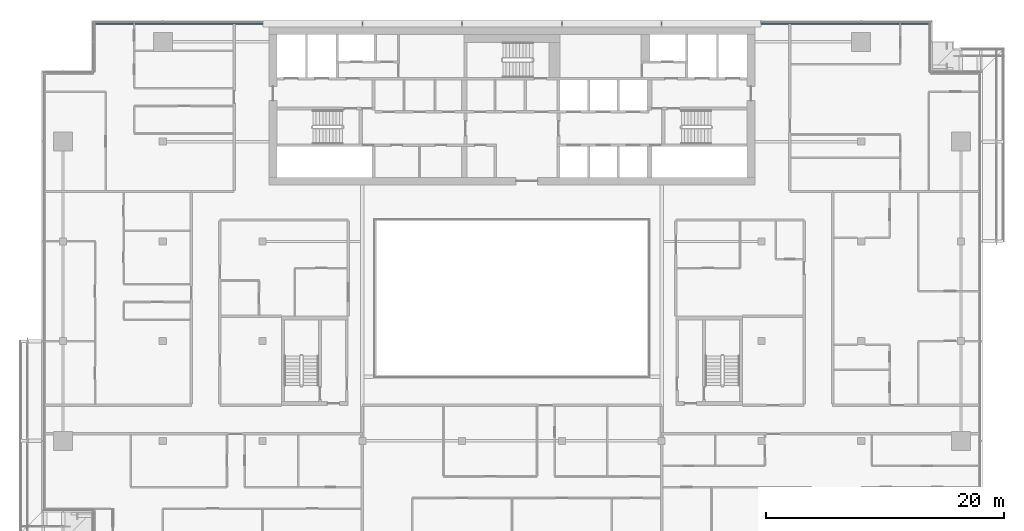
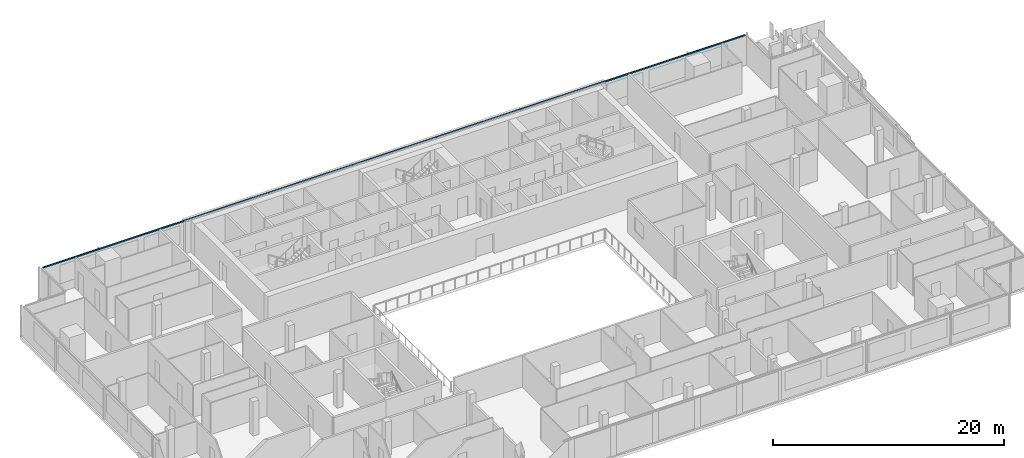
# One storey, part 8 of 30: 1 member, 1 element without a shape of its own.
"""IFC4 building model written with IfcOpenShell, lengths in metres."""

from ifc_helpers import new_model, si_unit, direction, frame, origin, origin_2d, place, context, subcontext, project, spatial, rectangle, extrude, material, material_profile, profile_set, type_object, element, aggregate, save


model = new_model("IFC4")

# Units and contexts
model_context = context("Model", 3, precision=1e-05, world=origin(), true_north=direction((0.0, 1.0)))
body_context = subcontext(model_context, "Body", "Model", "MODEL_VIEW")
ifc_project = project(units=[si_unit("LENGTHUNIT", "METRE"), si_unit("AREAUNIT", "SQUARE_METRE"), si_unit("VOLUMEUNIT", "CUBIC_METRE"), si_unit("PLANEANGLEUNIT", "RADIAN"), si_unit("MASSUNIT", "GRAM", prefix="KILO")], contexts=[model_context])

# Site, building, storey
site_placement = place(None, origin())
site = spatial("IfcSite", under=ifc_project, at=site_placement, CompositionType="ELEMENT")
building_placement = place(site_placement, origin())
building = spatial("IfcBuilding", under=site, at=building_placement, Name="Saffron Gate Tower", CompositionType="ELEMENT")
storey_placement = place(building_placement, frame((0.0, 0.0, 245.10009765625)))
storey = spatial("IfcBuildingStorey", under=building, at=storey_placement, Name="L60", CompositionType="ELEMENT", Elevation=245.10009765625)

# Curtain wall, member
ifc_material = material(Name="Aluminium, bronze anodised", Category="aluminium")
curtain_wall_type = type_object("IfcCurtainWallType", Name="CWS3 curtain wall rear facade", PredefinedType="NOTDEFINED", material=ifc_material)
curtain_wall_placement = place(storey_placement, origin())
curtain_wall = element("IfcCurtainWall", 1, at=curtain_wall_placement, inside=storey, type_object=curtain_wall_type, Name="CWS3 run 7", PredefinedType="NOTDEFINED")
ifc_material_profile = material_profile(ifc_material, rectangle(XDim=0.1201171875, YDim=0.1201171875, at=origin_2d()))
ifc_profile_set = profile_set([ifc_material_profile], Name="Aluminium, bronze anodised")
member_type = type_object("IfcMemberType", Name="CWS3 head transom", PredefinedType="USERDEFINED", material=ifc_profile_set)
member_placement = place(storey_placement, frame((122.632080078125, 75.35205078125, 3.260009765625), z_axis=(-1.0, 0.0, 0.0), x_axis=(0.0, -1.0, 0.0)))
member = element("IfcMember", 2, at=member_placement, type_object=member_type, Name="CWS3 head transom", ObjectType="TRANSOM", PredefinedType="USERDEFINED", context=body_context, shape_type="SweptSolid", body=[
    extrude(rectangle(XDim=0.1201171875, YDim=0.1201171875, at=origin_2d()), origin(), (0.0, 0.0, 1.0), 70.06396484375),
])
aggregate(curtain_wall, [member])

save(model, "model.ifc")
